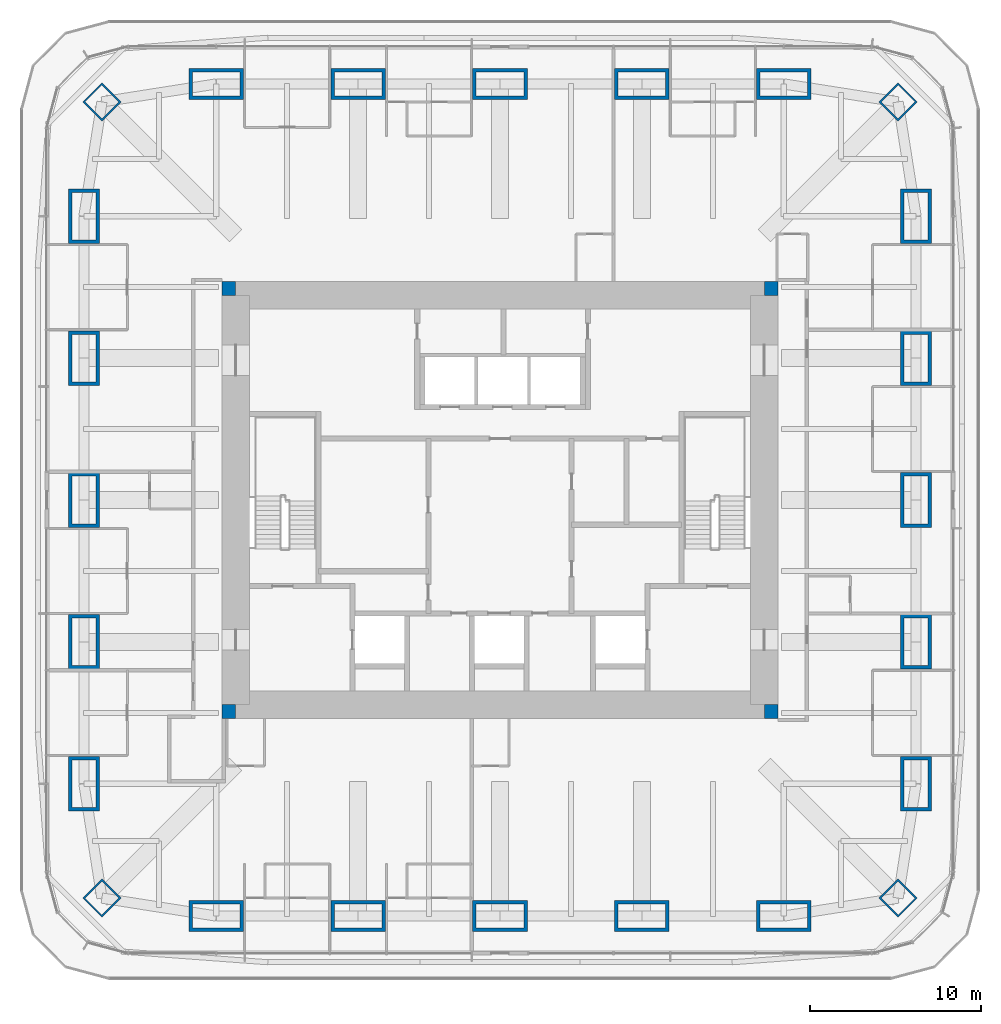
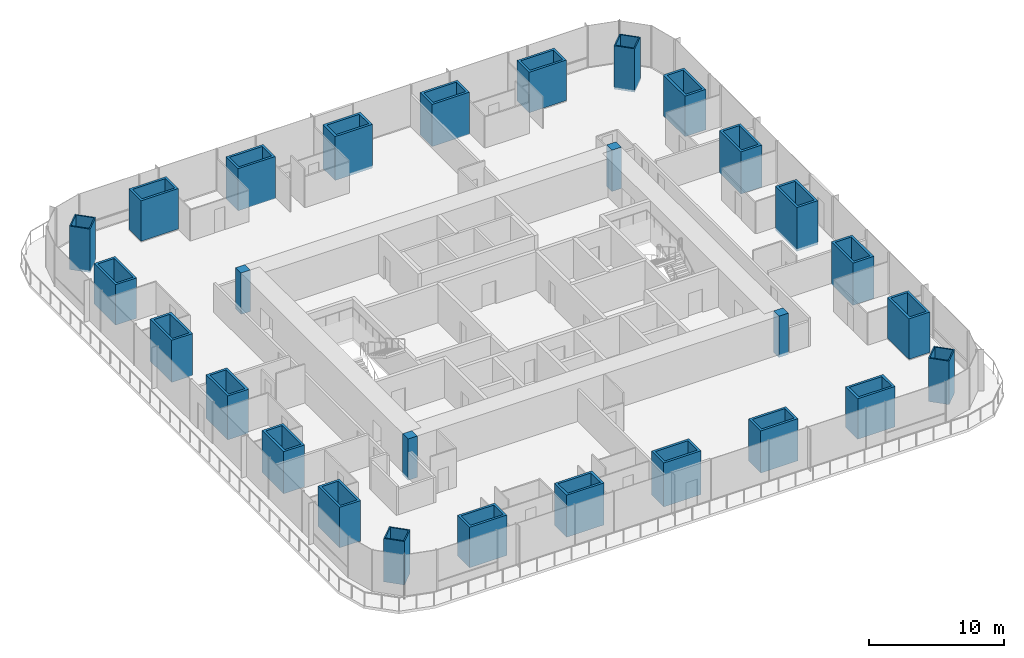
# One storey, part 1 of 15: 28 columns.
"""IFC4 building model written with IfcOpenShell, lengths in metres."""

from ifc_helpers import new_model, si_unit, direction, frame, origin, origin_2d, place, context, subcontext, project, spatial, rectangle, hollow_rectangle, extrude, material, material_profile, profile_set, type_object, element, save


model = new_model("IFC4")

# Units and contexts
model_context = context("Model", 3, precision=1e-05, world=origin(), true_north=direction((0.0, 1.0)))
body_context = subcontext(model_context, "Body", "Model", "MODEL_VIEW")
ifc_project = project(units=[si_unit("LENGTHUNIT", "METRE"), si_unit("AREAUNIT", "SQUARE_METRE"), si_unit("VOLUMEUNIT", "CUBIC_METRE"), si_unit("PLANEANGLEUNIT", "RADIAN"), si_unit("MASSUNIT", "GRAM", prefix="KILO")], contexts=[model_context])

# Site, building, storey
site_placement = place(None, origin())
site = spatial("IfcSite", under=ifc_project, at=site_placement, CompositionType="ELEMENT")
building_placement = place(site_placement, origin())
building = spatial("IfcBuilding", under=site, at=building_placement, Name="Khuree Lantern Residences", CompositionType="ELEMENT")
storey_placement = place(building_placement, frame((0.0, 0.0, 199.5)))
storey = spatial("IfcBuildingStorey", under=building, at=storey_placement, Name="L49", CompositionType="ELEMENT", Elevation=199.5)

# Columns
ifc_material_1 = material(Name="Steel S355 CFT welded box", Category="steel")
ifc_material_profile_1 = material_profile(ifc_material_1, hollow_rectangle(XDim=1.60009765625, YDim=1.60009765625, WallThickness=0.10009765625, at=origin_2d()), Name="WELDED BOX 1600X1600X100")
ifc_profile_set_1 = profile_set([ifc_material_profile_1], Name="Steel S355 CFT welded box")
column_type_1 = type_object("IfcColumnType", Name="CC1600 PERIMETER CORNER MEGA COLUMN WELDED BOX 1600X1600X100", PredefinedType="COLUMN", material=ifc_profile_set_1)
for number, where, z_axis, x_axis, name in (
    (1, (23.345703125, 23.345703125, -0.18994140625), (0.0, 0.0, 1.0), (0.707106781187, -0.707106781187, 0.0), "Perimeter column NE"),
    (2, (23.345703125, -23.345703125, -0.18994140625), (0.0, 0.0, 1.0), (0.707106781187, 0.707106781187, 0.0), "Perimeter column SE"),
    (3, (-23.345703125, -23.345703125, -0.18994140625), (0.0, 0.0, 1.0), (0.707106781187, -0.707106781187, 0.0), "Perimeter column SW"),
    (4, (-23.345703125, 23.345703125, -0.18994140625), (0.0, 0.0, 1.0), (0.707106781187, 0.707106781187, 0.0), "Perimeter column NW"),
):
    element("IfcColumn", number, at=place(storey_placement, frame(where, z_axis=z_axis, x_axis=x_axis)), inside=storey, type_object=column_type_1, Name=name, PredefinedType="COLUMN", context=body_context, shape_type="SweptSolid", body=[
        extrude(hollow_rectangle(XDim=1.60009765625, YDim=1.60009765625, WallThickness=0.10009765625, at=origin_2d()), origin(), (0.0, 0.0, 1.0), 3.93994140625),
    ])
ifc_material_2 = material(Name="Concrete C50/60", Category="concrete")
ifc_material_profile_2 = material_profile(ifc_material_2, rectangle(XDim=0.800048828125, YDim=0.800048828125, at=origin_2d()), Name="RC 800X800")
ifc_profile_set_2 = profile_set([ifc_material_profile_2], Name="Concrete C50/60")
column_type_2 = type_object("IfcColumnType", Name="CP800-C50 CORE CORNER PIER C50 RC 800X800", PredefinedType="COLUMN", material=ifc_profile_set_2)
for number, where, z_axis, x_axis, name in (
    (5, (15.89990234375, 12.39990234375, -0.25), (0.0, 0.0, 1.0), (1.0, 0.0, 0.0), "Core corner pier NE"),
    (6, (-15.89990234375, 12.39990234375, -0.25), (0.0, 0.0, 1.0), (1.0, 0.0, 0.0), "Core corner pier NW"),
    (7, (-15.89990234375, -12.39990234375, -0.25), (0.0, 0.0, 1.0), (1.0, 0.0, 0.0), "Core corner pier SW"),
    (8, (15.89990234375, -12.39990234375, -0.25), (0.0, 0.0, 1.0), (1.0, 0.0, 0.0), "Core corner pier SE"),
):
    element("IfcColumn", number, at=place(storey_placement, frame(where, z_axis=z_axis, x_axis=x_axis)), inside=storey, type_object=column_type_2, Name=name, PredefinedType="COLUMN", context=body_context, shape_type="SweptSolid", body=[
        extrude(rectangle(XDim=0.800048828125, YDim=0.800048828125, at=origin_2d()), origin(), (0.0, 0.0, 1.0), 3.75),
    ])
ifc_material_profile_3 = material_profile(ifc_material_1, hollow_rectangle(XDim=3.199951171875, YDim=1.800048828125, WallThickness=0.199951171875, at=origin_2d()), Name="WELDED BOX 3200X1800X200")
ifc_profile_set_3 = profile_set([ifc_material_profile_3], Name="Steel S355 CFT welded box")
column_type_3 = type_object("IfcColumnType", Name="SC1 PERIMETER MEGA COLUMN WELDED BOX 3200X1800X200", PredefinedType="COLUMN", material=ifc_profile_set_3)
column_1_placement = place(storey_placement, frame((-16.639892578125, 24.39990234375, 0.080078125), z_axis=(0.0, 0.0, 1.0), x_axis=(1.0, 0.0, 0.0)))
element("IfcColumn", 9, at=column_1_placement, inside=storey, type_object=column_type_3, Name="Perimeter column N1", PredefinedType="COLUMN", context=body_context, shape_type="SweptSolid", body=[
    extrude(hollow_rectangle(XDim=3.199951171875, YDim=1.800048828125, WallThickness=0.199951171875, at=origin_2d()), origin(), (0.0, 0.0, 1.0), 3.669921875),
])
column_2_placement = place(storey_placement, frame((-8.320068359375, 24.39990234375, -0.070068359375), z_axis=(0.0, 0.0, 1.0), x_axis=(1.0, 0.0, 0.0)))
element("IfcColumn", 10, at=column_2_placement, inside=storey, type_object=column_type_3, Name="Perimeter column N2", PredefinedType="COLUMN", context=body_context, shape_type="SweptSolid", body=[
    extrude(hollow_rectangle(XDim=3.199951171875, YDim=1.800048828125, WallThickness=0.199951171875, at=origin_2d()), origin(), (0.0, 0.0, 1.0), 3.820068359375),
])
column_3_placement = place(storey_placement, frame((0.0, 24.39990234375, -0.22998046875), z_axis=(0.0, 0.0, 1.0), x_axis=(1.0, 0.0, 0.0)))
element("IfcColumn", 11, at=column_3_placement, inside=storey, type_object=column_type_3, Name="Perimeter column N3", PredefinedType="COLUMN", context=body_context, shape_type="SweptSolid", body=[
    extrude(hollow_rectangle(XDim=3.199951171875, YDim=1.800048828125, WallThickness=0.199951171875, at=origin_2d()), origin(), (0.0, 0.0, 1.0), 3.97998046875),
])
column_4_placement = place(storey_placement, frame((8.320068359375, 24.39990234375, -0.070068359375), z_axis=(0.0, 0.0, 1.0), x_axis=(1.0, 0.0, 0.0)))
element("IfcColumn", 12, at=column_4_placement, inside=storey, type_object=column_type_3, Name="Perimeter column N4", PredefinedType="COLUMN", context=body_context, shape_type="SweptSolid", body=[
    extrude(hollow_rectangle(XDim=3.199951171875, YDim=1.800048828125, WallThickness=0.199951171875, at=origin_2d()), origin(), (0.0, 0.0, 1.0), 3.820068359375),
])
for number, where, z_axis, x_axis, name in (
    (13, (16.639892578125, 24.39990234375, 0.080078125), (0.0, 0.0, 1.0), (1.0, 0.0, 0.0), "Perimeter column N5"),
    (14, (24.39990234375, 16.639892578125, 0.080078125), (0.0, 0.0, 1.0), (0.0, 1.0, 0.0), "Perimeter column E1"),
):
    element("IfcColumn", number, at=place(storey_placement, frame(where, z_axis=z_axis, x_axis=x_axis)), inside=storey, type_object=column_type_3, Name=name, PredefinedType="COLUMN", context=body_context, shape_type="SweptSolid", body=[
        extrude(hollow_rectangle(XDim=3.199951171875, YDim=1.800048828125, WallThickness=0.199951171875, at=origin_2d()), origin(), (0.0, 0.0, 1.0), 3.669921875),
    ])
column_5_placement = place(storey_placement, frame((24.39990234375, 8.320068359375, -0.070068359375), z_axis=(0.0, 0.0, 1.0), x_axis=(0.0, 1.0, 0.0)))
element("IfcColumn", 15, at=column_5_placement, inside=storey, type_object=column_type_3, Name="Perimeter column E2", PredefinedType="COLUMN", context=body_context, shape_type="SweptSolid", body=[
    extrude(hollow_rectangle(XDim=3.199951171875, YDim=1.800048828125, WallThickness=0.199951171875, at=origin_2d()), origin(), (0.0, 0.0, 1.0), 3.820068359375),
])
column_6_placement = place(storey_placement, frame((24.39990234375, 0.0, -0.22998046875), z_axis=(0.0, 0.0, 1.0), x_axis=(0.0, 1.0, 0.0)))
element("IfcColumn", 16, at=column_6_placement, inside=storey, type_object=column_type_3, Name="Perimeter column E3", PredefinedType="COLUMN", context=body_context, shape_type="SweptSolid", body=[
    extrude(hollow_rectangle(XDim=3.199951171875, YDim=1.800048828125, WallThickness=0.199951171875, at=origin_2d()), origin(), (0.0, 0.0, 1.0), 3.97998046875),
])
column_7_placement = place(storey_placement, frame((24.39990234375, -8.320068359375, -0.070068359375), z_axis=(0.0, 0.0, 1.0), x_axis=(0.0, 1.0, 0.0)))
element("IfcColumn", 17, at=column_7_placement, inside=storey, type_object=column_type_3, Name="Perimeter column E4", PredefinedType="COLUMN", context=body_context, shape_type="SweptSolid", body=[
    extrude(hollow_rectangle(XDim=3.199951171875, YDim=1.800048828125, WallThickness=0.199951171875, at=origin_2d()), origin(), (0.0, 0.0, 1.0), 3.820068359375),
])
for number, where, z_axis, x_axis, name in (
    (18, (24.39990234375, -16.639892578125, 0.080078125), (0.0, 0.0, 1.0), (0.0, 1.0, 0.0), "Perimeter column E5"),
    (19, (16.639892578125, -24.39990234375, 0.080078125), (0.0, 0.0, 1.0), (1.0, 0.0, 0.0), "Perimeter column S1"),
):
    element("IfcColumn", number, at=place(storey_placement, frame(where, z_axis=z_axis, x_axis=x_axis)), inside=storey, type_object=column_type_3, Name=name, PredefinedType="COLUMN", context=body_context, shape_type="SweptSolid", body=[
        extrude(hollow_rectangle(XDim=3.199951171875, YDim=1.800048828125, WallThickness=0.199951171875, at=origin_2d()), origin(), (0.0, 0.0, 1.0), 3.669921875),
    ])
column_8_placement = place(storey_placement, frame((8.320068359375, -24.39990234375, -0.070068359375), z_axis=(0.0, 0.0, 1.0), x_axis=(1.0, 0.0, 0.0)))
element("IfcColumn", 20, at=column_8_placement, inside=storey, type_object=column_type_3, Name="Perimeter column S2", PredefinedType="COLUMN", context=body_context, shape_type="SweptSolid", body=[
    extrude(hollow_rectangle(XDim=3.199951171875, YDim=1.800048828125, WallThickness=0.199951171875, at=origin_2d()), origin(), (0.0, 0.0, 1.0), 3.820068359375),
])
column_9_placement = place(storey_placement, frame((0.0, -24.39990234375, -0.22998046875), z_axis=(0.0, 0.0, 1.0), x_axis=(1.0, 0.0, 0.0)))
element("IfcColumn", 21, at=column_9_placement, inside=storey, type_object=column_type_3, Name="Perimeter column S3", PredefinedType="COLUMN", context=body_context, shape_type="SweptSolid", body=[
    extrude(hollow_rectangle(XDim=3.199951171875, YDim=1.800048828125, WallThickness=0.199951171875, at=origin_2d()), origin(), (0.0, 0.0, 1.0), 3.97998046875),
])
column_10_placement = place(storey_placement, frame((-8.320068359375, -24.39990234375, -0.070068359375), z_axis=(0.0, 0.0, 1.0), x_axis=(1.0, 0.0, 0.0)))
element("IfcColumn", 22, at=column_10_placement, inside=storey, type_object=column_type_3, Name="Perimeter column S4", PredefinedType="COLUMN", context=body_context, shape_type="SweptSolid", body=[
    extrude(hollow_rectangle(XDim=3.199951171875, YDim=1.800048828125, WallThickness=0.199951171875, at=origin_2d()), origin(), (0.0, 0.0, 1.0), 3.820068359375),
])
for number, where, z_axis, x_axis, name in (
    (23, (-16.639892578125, -24.39990234375, 0.080078125), (0.0, 0.0, 1.0), (1.0, 0.0, 0.0), "Perimeter column S5"),
    (24, (-24.39990234375, -16.639892578125, 0.080078125), (0.0, 0.0, 1.0), (0.0, 1.0, 0.0), "Perimeter column W1"),
):
    element("IfcColumn", number, at=place(storey_placement, frame(where, z_axis=z_axis, x_axis=x_axis)), inside=storey, type_object=column_type_3, Name=name, PredefinedType="COLUMN", context=body_context, shape_type="SweptSolid", body=[
        extrude(hollow_rectangle(XDim=3.199951171875, YDim=1.800048828125, WallThickness=0.199951171875, at=origin_2d()), origin(), (0.0, 0.0, 1.0), 3.669921875),
    ])
column_11_placement = place(storey_placement, frame((-24.39990234375, -8.320068359375, -0.070068359375), z_axis=(0.0, 0.0, 1.0), x_axis=(0.0, 1.0, 0.0)))
element("IfcColumn", 25, at=column_11_placement, inside=storey, type_object=column_type_3, Name="Perimeter column W2", PredefinedType="COLUMN", context=body_context, shape_type="SweptSolid", body=[
    extrude(hollow_rectangle(XDim=3.199951171875, YDim=1.800048828125, WallThickness=0.199951171875, at=origin_2d()), origin(), (0.0, 0.0, 1.0), 3.820068359375),
])
column_12_placement = place(storey_placement, frame((-24.39990234375, 0.0, -0.22998046875), z_axis=(0.0, 0.0, 1.0), x_axis=(0.0, 1.0, 0.0)))
element("IfcColumn", 26, at=column_12_placement, inside=storey, type_object=column_type_3, Name="Perimeter column W3", PredefinedType="COLUMN", context=body_context, shape_type="SweptSolid", body=[
    extrude(hollow_rectangle(XDim=3.199951171875, YDim=1.800048828125, WallThickness=0.199951171875, at=origin_2d()), origin(), (0.0, 0.0, 1.0), 3.97998046875),
])
column_13_placement = place(storey_placement, frame((-24.39990234375, 8.320068359375, -0.070068359375), z_axis=(0.0, 0.0, 1.0), x_axis=(0.0, 1.0, 0.0)))
element("IfcColumn", 27, at=column_13_placement, inside=storey, type_object=column_type_3, Name="Perimeter column W4", PredefinedType="COLUMN", context=body_context, shape_type="SweptSolid", body=[
    extrude(hollow_rectangle(XDim=3.199951171875, YDim=1.800048828125, WallThickness=0.199951171875, at=origin_2d()), origin(), (0.0, 0.0, 1.0), 3.820068359375),
])
column_14_placement = place(storey_placement, frame((-24.39990234375, 16.639892578125, 0.080078125), z_axis=(0.0, 0.0, 1.0), x_axis=(0.0, 1.0, 0.0)))
element("IfcColumn", 28, at=column_14_placement, inside=storey, type_object=column_type_3, Name="Perimeter column W5", PredefinedType="COLUMN", context=body_context, shape_type="SweptSolid", body=[
    extrude(hollow_rectangle(XDim=3.199951171875, YDim=1.800048828125, WallThickness=0.199951171875, at=origin_2d()), origin(), (0.0, 0.0, 1.0), 3.669921875),
])

save(model, "model.ifc")
